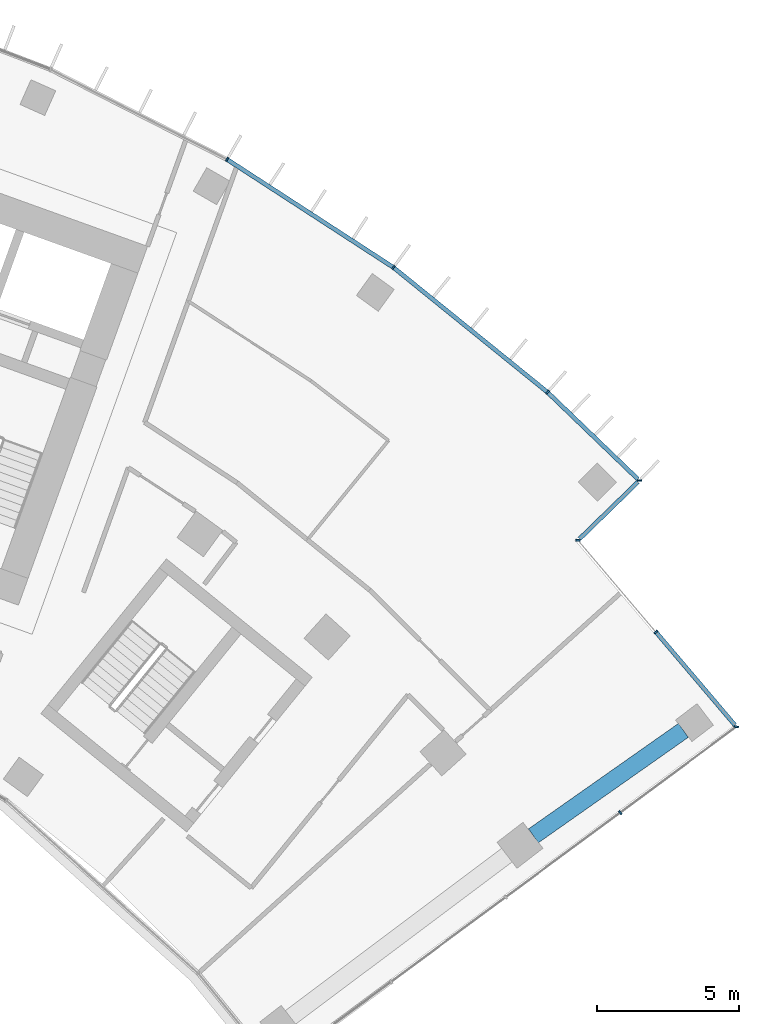
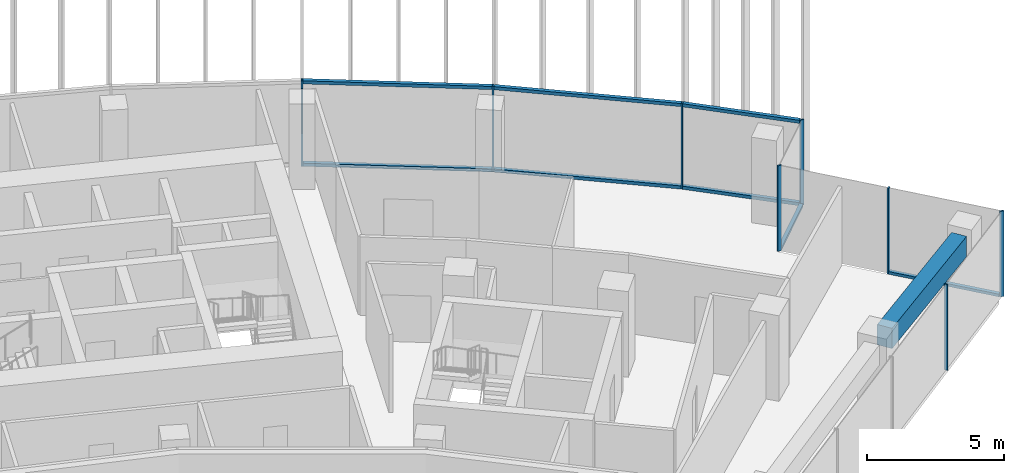
# One storey, part 9 of 20: 16 members, 1 beam, 4 elements without a shape of their own.
"""IFC4 building model written with IfcOpenShell, lengths in metres."""

from ifc_helpers import new_model, si_unit, direction, frame, origin, origin_2d, place, context, subcontext, project, spatial, rectangle, extrude, material, layer, layer_set, material_profile, profile_set, type_object, element, aggregate, save


model = new_model("IFC4")

# Units and contexts
model_context = context("Model", 3, precision=1e-05, world=origin(), true_north=direction((0.0, 1.0)))
body_context = subcontext(model_context, "Body", "Model", "MODEL_VIEW")
ifc_project = project(units=[si_unit("LENGTHUNIT", "METRE"), si_unit("AREAUNIT", "SQUARE_METRE"), si_unit("VOLUMEUNIT", "CUBIC_METRE"), si_unit("PLANEANGLEUNIT", "RADIAN"), si_unit("MASSUNIT", "GRAM", prefix="KILO")], contexts=[model_context])

# Site, building, storey
site_placement = place(None, origin())
site = spatial("IfcSite", under=ifc_project, at=site_placement, CompositionType="ELEMENT")
building_placement = place(site_placement, origin())
building = spatial("IfcBuilding", under=site, at=building_placement, Name="Stone Belt Terrace Tower", CompositionType="ELEMENT")
storey_placement = place(building_placement, frame((0.0, 0.0, 212.39990234375)))
storey = spatial("IfcBuildingStorey", under=building, at=storey_placement, Name="L51", CompositionType="ELEMENT", Elevation=212.39990234375)

# Curtain wall, members
ifc_material_1 = material(Name="Aluminium 6063-T6 anodised frame", Category="aluminium")
ifc_layer_1 = layer(ifc_material_1, 0.14990234375)
ifc_layer_set_1 = layer_set([ifc_layer_1], Name="CW-A unitised convex-face curtain wall")
curtain_wall_type_1 = type_object("IfcCurtainWallType", Name="CW-A unitised convex-face curtain wall", PredefinedType="NOTDEFINED", material=ifc_layer_set_1)
curtain_wall_1_placement = place(storey_placement, origin())
curtain_wall_1 = element("IfcCurtainWall", 1, at=curtain_wall_1_placement, inside=storey, type_object=curtain_wall_type_1, Name="CW-A convex face L51", PredefinedType="NOTDEFINED")
ifc_material_profile_1 = material_profile(ifc_material_1, rectangle(XDim=0.14990234375, YDim=0.06005859375, at=origin_2d()), Name="Aluminium 6063-T6 60x150")
ifc_profile_set_1 = profile_set([ifc_material_profile_1], Name="Aluminium 6063-T6 anodised frame")
member_type_1 = type_object("IfcMemberType", Name="CW-A mullion 60 x 150", PredefinedType="MULLION", material=ifc_profile_set_1)
member_1_placement = place(storey_placement, frame((47.775390625, 46.369140625, 0.0), z_axis=(0.0, 0.0, 1.0), x_axis=(-0.999996264646, -0.002733257028, 0.0)))
member_1 = element("IfcMember", 2, at=member_1_placement, type_object=member_type_1, Name="CW-A mullion 1", PredefinedType="MULLION", context=body_context, shape_type="SweptSolid", body=[
    extrude(rectangle(XDim=0.14990234375, YDim=0.06005859375, at=origin_2d()), origin(), (0.0, 0.0, 1.0), 3.800048828125),
])
member_2_placement = place(storey_placement, frame((44.546875, 49.475341796875, 0.0), z_axis=(0.0, 0.0, 1.0), x_axis=(-0.661937409618, -0.749559114245, 0.0)))
member_2 = element("IfcMember", 3, at=member_2_placement, type_object=member_type_1, Name="CW-A mullion 2", PredefinedType="MULLION", context=body_context, shape_type="SweptSolid", body=[
    extrude(rectangle(XDim=0.14990234375, YDim=0.06005859375, at=origin_2d()), origin(), (0.0, 0.0, 1.0), 3.800048828125),
])
member_3_placement = place(storey_placement, frame((39.1318359375, 53.8603515625, 0.0), z_axis=(0.0, 0.0, 1.0), x_axis=(-0.587785252292, -0.809016994375, 0.0)))
member_3 = element("IfcMember", 4, at=member_3_placement, type_object=member_type_1, Name="CW-A mullion 3", PredefinedType="MULLION", context=body_context, shape_type="SweptSolid", body=[
    extrude(rectangle(XDim=0.14990234375, YDim=0.06005859375, at=origin_2d()), origin(), (0.0, 0.0, 1.0), 3.800048828125),
])
member_4_placement = place(storey_placement, frame((33.28759765625, 57.65576171875, 0.0), z_axis=(0.0, 0.0, 1.0), x_axis=(-0.5, -0.866025403784, 0.0)))
member_4 = element("IfcMember", 5, at=member_4_placement, type_object=member_type_1, Name="CW-A mullion 4", PredefinedType="MULLION", context=body_context, shape_type="SweptSolid", body=[
    extrude(rectangle(XDim=0.14990234375, YDim=0.06005859375, at=origin_2d()), origin(), (0.0, 0.0, 1.0), 3.800048828125),
])
ifc_material_profile_2 = material_profile(ifc_material_1, rectangle(XDim=0.14990234375, YDim=0.139892578125, at=origin_2d()), Name="Aluminium 6063-T6 150x140")
ifc_profile_set_2 = profile_set([ifc_material_profile_2], Name="Aluminium 6063-T6 anodised frame")
member_type_2 = type_object("IfcMemberType", Name="CW-A transom 140 x 150", PredefinedType="USERDEFINED", material=ifc_profile_set_2)
member_5_placement = place(storey_placement, frame((47.721435546875, 46.4208984375, 0.070068359375), z_axis=(-0.720600183576, 0.693350831419, 0.0), x_axis=(-0.693350831419, -0.720600183576, 0.0)))
member_5 = element("IfcMember", 6, at=member_5_placement, type_object=member_type_2, Name="CW-A transom 1.1", ObjectType="TRANSOM", PredefinedType="USERDEFINED", context=body_context, shape_type="SweptSolid", body=[
    extrude(rectangle(XDim=0.14990234375, YDim=0.139892578125, at=origin_2d()), origin(), (0.0, 0.0, 1.0), 4.372314453125),
])
member_6_placement = place(storey_placement, frame((47.721435546875, 46.4208984375, 3.72998046875), z_axis=(-0.720600183576, 0.693350831419, 0.0), x_axis=(-0.693350831419, -0.720600183576, 0.0)))
member_6 = element("IfcMember", 7, at=member_6_placement, type_object=member_type_2, Name="CW-A transom 1.2", ObjectType="TRANSOM", PredefinedType="USERDEFINED", context=body_context, shape_type="SweptSolid", body=[
    extrude(rectangle(XDim=0.14990234375, YDim=0.139892578125, at=origin_2d()), origin(), (0.0, 0.0, 1.0), 4.372314453125),
])
member_7_placement = place(storey_placement, frame((44.52099609375, 49.496337890625, 0.070068359375), z_axis=(-0.777141048626, 0.629326457842, 0.0), x_axis=(-0.629326457842, -0.777141048626, 0.0)))
member_7 = element("IfcMember", 8, at=member_7_placement, type_object=member_type_2, Name="CW-A transom 2.1", ObjectType="TRANSOM", PredefinedType="USERDEFINED", context=body_context, shape_type="SweptSolid", body=[
    extrude(rectangle(XDim=0.14990234375, YDim=0.139892578125, at=origin_2d()), origin(), (0.0, 0.0, 1.0), 6.900634765625),
])
member_8_placement = place(storey_placement, frame((44.52099609375, 49.496337890625, 3.72998046875), z_axis=(-0.777141048626, 0.629326457842, 0.0), x_axis=(-0.629326457842, -0.777141048626, 0.0)))
member_8 = element("IfcMember", 9, at=member_8_placement, type_object=member_type_2, Name="CW-A transom 2.2", ObjectType="TRANSOM", PredefinedType="USERDEFINED", context=body_context, shape_type="SweptSolid", body=[
    extrude(rectangle(XDim=0.14990234375, YDim=0.139892578125, at=origin_2d()), origin(), (0.0, 0.0, 1.0), 6.900634765625),
])
member_9_placement = place(storey_placement, frame((39.103515625, 53.87890625, 0.070068359375), z_axis=(-0.83868440714, 0.544617723931, 0.0), x_axis=(-0.544617723931, -0.83868440714, 0.0)))
member_9 = element("IfcMember", 10, at=member_9_placement, type_object=member_type_2, Name="CW-A transom 3.1", ObjectType="TRANSOM", PredefinedType="USERDEFINED", context=body_context, shape_type="SweptSolid", body=[
    extrude(rectangle(XDim=0.14990234375, YDim=0.139892578125, at=origin_2d()), origin(), (0.0, 0.0, 1.0), 6.90087890625),
])
member_10_placement = place(storey_placement, frame((39.103515625, 53.87890625, 3.72998046875), z_axis=(-0.83868440714, 0.544617723931, 0.0), x_axis=(-0.544617723931, -0.83868440714, 0.0)))
member_10 = element("IfcMember", 11, at=member_10_placement, type_object=member_type_2, Name="CW-A transom 3.2", ObjectType="TRANSOM", PredefinedType="USERDEFINED", context=body_context, shape_type="SweptSolid", body=[
    extrude(rectangle(XDim=0.14990234375, YDim=0.139892578125, at=origin_2d()), origin(), (0.0, 0.0, 1.0), 6.90087890625),
])
aggregate(curtain_wall_1, [member_1, member_2, member_3, member_4, member_5, member_6, member_7, member_8, member_9, member_10])

# Curtain wall, member
ifc_layer_2 = layer(ifc_material_1, 0.14990234375)
ifc_layer_set_2 = layer_set([ifc_layer_2], Name="CW-C stick curtain wall, horn ends and notches")
curtain_wall_type_2 = type_object("IfcCurtainWallType", Name="CW-C stick curtain wall, horn ends and notches", PredefinedType="NOTDEFINED", material=ifc_layer_set_2)
curtain_wall_2_placement = place(storey_placement, origin())
curtain_wall_2 = element("IfcCurtainWall", 12, at=curtain_wall_2_placement, inside=storey, type_object=curtain_wall_type_2, Name="CW-C end face L51", PredefinedType="NOTDEFINED")
ifc_material_profile_3 = material_profile(ifc_material_1, rectangle(XDim=0.14990234375, YDim=0.06005859375, at=origin_2d()), Name="Aluminium 6063-T6 60x150")
ifc_profile_set_3 = profile_set([ifc_material_profile_3], Name="Aluminium 6063-T6 anodised frame")
member_type_3 = type_object("IfcMemberType", Name="CW-C mullion 60 x 150", PredefinedType="MULLION", material=ifc_profile_set_3)
member_11_placement = place(storey_placement, frame((47.097900390625, 34.699462890625, 0.0), z_axis=(0.0, 0.0, 1.0), x_axis=(-0.594184091865, 0.804329077539, 0.0)))
member_11 = element("IfcMember", 13, at=member_11_placement, type_object=member_type_3, Name="CW-C mullion 4", PredefinedType="MULLION", context=body_context, shape_type="SweptSolid", body=[
    extrude(rectangle(XDim=0.14990234375, YDim=0.06005859375, at=origin_2d()), origin(), (0.0, 0.0, 1.0), 3.800048828125),
])
aggregate(curtain_wall_2, [member_11])

# Curtain wall, members
curtain_wall_3_placement = place(storey_placement, origin())
curtain_wall_3 = element("IfcCurtainWall", 14, at=curtain_wall_3_placement, inside=storey, type_object=curtain_wall_type_2, Name="CW-C notch face L51", PredefinedType="NOTDEFINED")
member_12_placement = place(storey_placement, frame((51.18408203125, 37.718017578125, 0.0), z_axis=(0.0, 0.0, 1.0), x_axis=(-0.993358853918, 0.115057321987, 0.0)))
member_12 = element("IfcMember", 15, at=member_12_placement, type_object=member_type_3, Name="CW-C mullion 1", PredefinedType="MULLION", context=body_context, shape_type="SweptSolid", body=[
    extrude(rectangle(XDim=0.14990234375, YDim=0.06005859375, at=origin_2d()), origin(), (0.0, 0.0, 1.0), 3.800048828125),
])
member_13_placement = place(storey_placement, frame((48.35302734375, 41.052490234375, 0.0), z_axis=(0.0, 0.0, 1.0), x_axis=(-0.762310954743, -0.647210945735, 0.0)))
member_13 = element("IfcMember", 16, at=member_13_placement, type_object=member_type_3, Name="CW-C mullion 2", PredefinedType="MULLION", context=body_context, shape_type="SweptSolid", body=[
    extrude(rectangle(XDim=0.14990234375, YDim=0.06005859375, at=origin_2d()), origin(), (0.0, 0.0, 1.0), 3.800048828125),
])

# Curtain wall, member
curtain_wall_4_placement = place(storey_placement, origin())
curtain_wall_4 = element("IfcCurtainWall", 17, at=curtain_wall_4_placement, inside=storey, type_object=curtain_wall_type_2, Name="CW-C notch face L51", PredefinedType="NOTDEFINED")
member_14_placement = place(storey_placement, frame((45.61962890625, 44.27197265625, 0.0), z_axis=(0.0, 0.0, 1.0), x_axis=(-0.998865261612, 0.047625509398, 0.0)))
member_14 = element("IfcMember", 18, at=member_14_placement, type_object=member_type_3, Name="CW-C mullion 1", PredefinedType="MULLION", context=body_context, shape_type="SweptSolid", body=[
    extrude(rectangle(XDim=0.14990234375, YDim=0.06005859375, at=origin_2d()), origin(), (0.0, 0.0, 1.0), 3.800048828125),
])

# Member
ifc_material_profile_4 = material_profile(ifc_material_1, rectangle(XDim=0.14990234375, YDim=0.1201171875, at=origin_2d()), Name="Aluminium 6063-T6 150x120")
ifc_profile_set_4 = profile_set([ifc_material_profile_4], Name="Aluminium 6063-T6 anodised frame")
member_type_4 = type_object("IfcMemberType", Name="CW-C transom 120 x 150", PredefinedType="USERDEFINED", material=ifc_profile_set_4)
member_15_placement = place(storey_placement, frame((51.13525390625, 37.775390625, 0.06005859375), z_axis=(-0.647195078608, 0.762324425836, 0.0), x_axis=(-0.762324425836, -0.647195078608, 0.0)))
member_15 = element("IfcMember", 19, at=member_15_placement, type_object=member_type_4, Name="CW-C transom 1.1", ObjectType="TRANSOM", PredefinedType="USERDEFINED", context=body_context, shape_type="SweptSolid", body=[
    extrude(rectangle(XDim=0.14990234375, YDim=0.1201171875, at=origin_2d()), origin(), (0.0, 0.0, 1.0), 4.268798828125),
])

aggregate(curtain_wall_3, [member_12, member_13, member_15])

member_16_placement = place(storey_placement, frame((45.671875, 44.322998046875, 0.06005859375), z_axis=(0.716814728684, 0.697263683797, 0.0), x_axis=(-0.697263683797, 0.716814728684, 0.0)))
member_16 = element("IfcMember", 20, at=member_16_placement, type_object=member_type_4, Name="CW-C transom 1.1", ObjectType="TRANSOM", PredefinedType="USERDEFINED", context=body_context, shape_type="SweptSolid", body=[
    extrude(rectangle(XDim=0.14990234375, YDim=0.1201171875, at=origin_2d()), origin(), (0.0, 0.0, 1.0), 2.859619140625),
])

aggregate(curtain_wall_4, [member_14, member_16])

# Beam
ifc_material_2 = material(Name="Concrete B60", Category="concrete")
ifc_material_profile_5 = material_profile(ifc_material_2, rectangle(XDim=0.60009765625, YDim=0.89990234375, at=origin_2d()), Name="RC 600x900")
ifc_profile_set_5 = profile_set([ifc_material_profile_5], Name="Concrete B60")
beam_type = type_object("IfcBeamType", Name="Edge beam RC 600x900 B60", PredefinedType="SPANDREL", material=ifc_profile_set_5)
beam_placement = place(storey_placement, frame((44.049560546875, 33.885498046875, 3.030029296875), z_axis=(0.817996569297, 0.575223098126, 0.0), x_axis=(-0.575223098126, 0.817996569297, 0.0)))
element("IfcBeam", 21, at=beam_placement, inside=storey, type_object=beam_type, Name="Edge beam L51 B Q to R", PredefinedType="SPANDREL", context=body_context, shape_type="SweptSolid", body=[
    extrude(rectangle(XDim=0.60009765625, YDim=0.89990234375, at=origin_2d()), origin(), (0.0, 0.0, 1.0), 6.444091796875),
])

save(model, "model.ifc")
